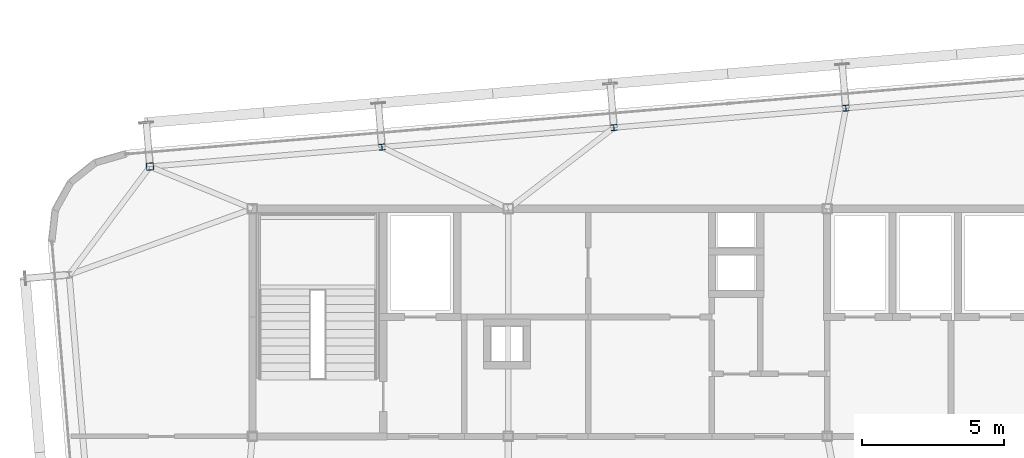
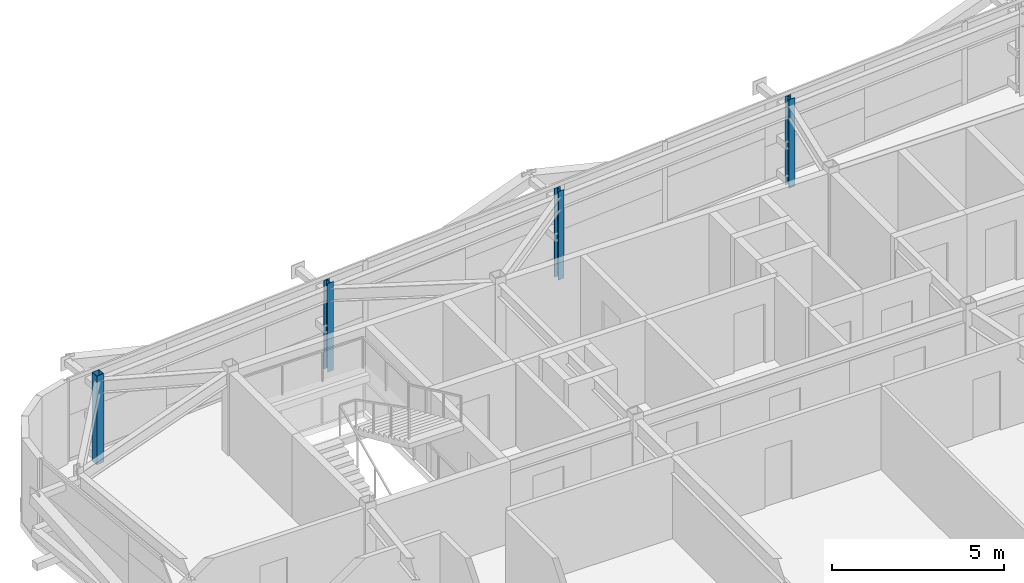
# One storey, part 5 of 37: 4 columns.
"""IFC4 building model written with IfcOpenShell, lengths in metres."""

from ifc_helpers import new_model, si_unit, direction, frame, origin, origin_2d, place, context, subcontext, project, spatial, hollow_rectangle, i_section, extrude, source, transform, mapped, material, material_profile, profile_set, type_object, element, save


model = new_model("IFC4")

# Units and contexts
model_context = context("Model", 3, precision=1e-05, world=origin(), true_north=direction((0.0, 1.0)))
body_context = subcontext(model_context, "Body", "Model", "MODEL_VIEW")
ifc_project = project(units=[si_unit("LENGTHUNIT", "METRE"), si_unit("AREAUNIT", "SQUARE_METRE"), si_unit("VOLUMEUNIT", "CUBIC_METRE"), si_unit("PLANEANGLEUNIT", "RADIAN"), si_unit("MASSUNIT", "GRAM", prefix="KILO")], contexts=[model_context])

# Site, building, storey
site_placement = place(None, origin())
site = spatial("IfcSite", under=ifc_project, at=site_placement, CompositionType="ELEMENT")
building_placement = place(site_placement, origin())
building = spatial("IfcBuilding", under=site, at=building_placement, Name="Taldren Reach Tower", CompositionType="ELEMENT")
storey_placement = place(building_placement, frame((0.0, 0.0, 182.0)))
storey = spatial("IfcBuildingStorey", under=building, at=storey_placement, Name="L55", CompositionType="ELEMENT", Elevation=182.0)

# Columns
ifc_material_1 = material(Name="Steel Gr 350 (C350L0)", Category="steel")
ifc_material_profile_1 = material_profile(ifc_material_1, hollow_rectangle(XDim=0.25, YDim=0.25, WallThickness=0.010009765625, at=origin_2d()), Name="250x250x10.0SHS")
ifc_profile_set_1 = profile_set([ifc_material_profile_1], Name="Steel Gr 350 (C350L0)")
column_type_1 = type_object("IfcColumnType", Name="COL-SHS250", PredefinedType="COLUMN", material=ifc_profile_set_1)
shared_shape_1 = source(origin(), body_context, "Body", "SweptSolid", [
    extrude(hollow_rectangle(XDim=0.25, YDim=0.25, WallThickness=0.010009765625, at=origin_2d()), origin(), (0.0, 0.0, 1.0), 3.14990234375),
])
column_placement = place(storey_placement, frame((15.40380859375, 33.483642578125, 0.0), z_axis=(0.0, 0.0, 1.0), x_axis=(0.99649285925, 0.083677843332, 0.0)))
element("IfcColumn", 1, at=column_placement, inside=storey, type_object=column_type_1, Name="Block B4 perimeter column N1 L55", PredefinedType="COLUMN", context=body_context, shape_type="MappedRepresentation", body=[
    mapped(shared_shape_1, transform((0.0, 0.0, 0.0), scale=1.0)),
])
ifc_material_2 = material(Name="Steel Gr 350 (350PLUS)", Category="steel")
ifc_material_profile_2 = material_profile(ifc_material_2, i_section(OverallWidth=0.205078125, OverallDepth=0.2099609375, WebThickness=0.00927734375, FlangeThickness=0.01416015625, at=origin_2d()), Name="200UC59.5")
ifc_profile_set_2 = profile_set([ifc_material_profile_2], Name="Steel Gr 350 (350PLUS)")
column_type_2 = type_object("IfcColumnType", Name="COL-UC200", PredefinedType="COLUMN", material=ifc_profile_set_2)
shared_shape_2 = source(origin(), body_context, "Body", "SweptSolid", [
    extrude(i_section(OverallWidth=0.205078125, OverallDepth=0.2099609375, WebThickness=0.00927734375, FlangeThickness=0.01416015625, at=origin_2d()), origin(), (0.0, 0.0, 1.0), 3.14990234375),
])
for number, where, z_axis, x_axis, name in (
    (2, (23.55517578125, 34.16796875, 0.0), (0.0, 0.0, 1.0), (0.99649285925, 0.083677843332, 0.0), "Block B4 perimeter column N2 L55"),
    (3, (31.706298828125, 34.8525390625, 0.0), (0.0, 0.0, 1.0), (0.99649285925, 0.083677843332, 0.0), "Block B4 perimeter column N3 L55"),
    (4, (39.857666015625, 35.537109375, 0.0), (0.0, 0.0, 1.0), (0.99649285925, 0.083677843332, 0.0), "Block B4 perimeter column N4 L55"),
):
    element("IfcColumn", number, at=place(storey_placement, frame(where, z_axis=z_axis, x_axis=x_axis)), inside=storey, type_object=column_type_2, Name=name, PredefinedType="COLUMN", context=body_context, shape_type="MappedRepresentation", body=[
        mapped(shared_shape_2, transform((0.0, 0.0, 0.0), scale=1.0)),
    ])

save(model, "model.ifc")
